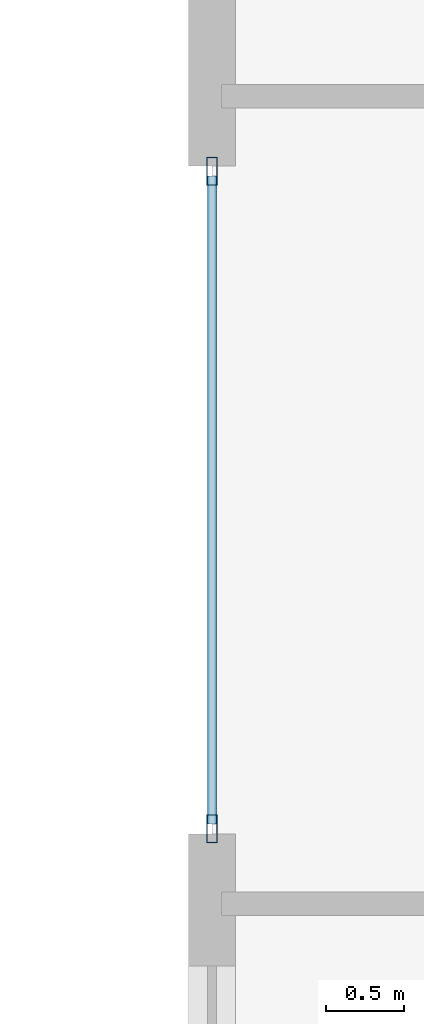
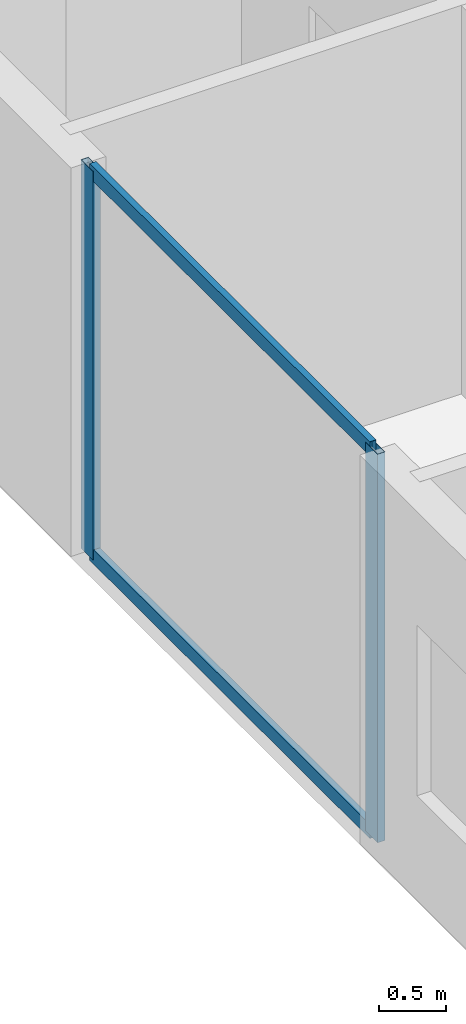
# One storey, part 4 of 32: 4 members, 1 element without a shape of its own.
"""IFC4 building model written with IfcOpenShell, lengths in metres."""

from ifc_helpers import new_model, si_unit, direction, frame, origin, origin_2d, place, context, subcontext, project, spatial, hollow_rectangle, extrude, material, layer, layer_set, material_profile, profile_set, type_object, element, aggregate, save


model = new_model("IFC4")

# Units and contexts
model_context = context("Model", 3, precision=1e-05, world=origin(), true_north=direction((0.0, 1.0)))
body_context = subcontext(model_context, "Body", "Model", "MODEL_VIEW")
ifc_project = project(units=[si_unit("LENGTHUNIT", "METRE"), si_unit("AREAUNIT", "SQUARE_METRE"), si_unit("VOLUMEUNIT", "CUBIC_METRE"), si_unit("PLANEANGLEUNIT", "RADIAN"), si_unit("MASSUNIT", "GRAM", prefix="KILO")], contexts=[model_context])

# Site, building, storey
site_placement = place(None, origin())
site = spatial("IfcSite", under=ifc_project, at=site_placement, CompositionType="ELEMENT")
building_placement = place(site_placement, origin())
building = spatial("IfcBuilding", under=site, at=building_placement, Name="Zuhayl Quay Hotel", CompositionType="ELEMENT")
storey_placement = place(building_placement, frame((0.0, 0.0, 192.39990234375)))
storey = spatial("IfcBuildingStorey", under=building, at=storey_placement, Name="L48", CompositionType="ELEMENT", Elevation=192.39990234375)

# Curtain wall, members
ifc_material_1 = material(Name="Anodised Aluminium 6063-T6", Category="aluminium")
ifc_layer = layer(ifc_material_1, 0.175048828125, Name="Anodised Aluminium 6063-T6", Category="aluminium")
ifc_layer_set = layer_set([ifc_layer], Name="Anodised Aluminium 6063-T6")
curtain_wall_type = type_object("IfcCurtainWallType", Name="CW_SYS_Z3", PredefinedType="USERDEFINED", material=ifc_layer_set)
curtain_wall_placement = place(storey_placement, origin())
curtain_wall = element("IfcCurtainWall", 1, at=curtain_wall_placement, inside=storey, type_object=curtain_wall_type, Name="L48 Curtain Wall ENV_L48_E02_CW1", ObjectType="UNITISED CURTAIN WALL", PredefinedType="USERDEFINED")
ifc_material_2 = material(Name="Black-anodised aluminium 6063-T6", Category="aluminium")
ifc_material_profile_1 = material_profile(ifc_material_2, hollow_rectangle(XDim=0.06494140625, YDim=0.179931640625, WallThickness=0.00341796875, at=origin_2d()), Name="ALU180X65")
ifc_profile_set_1 = profile_set([ifc_material_profile_1], Name="Black-anodised aluminium 6063-T6")
member_type_1 = type_object("IfcMemberType", Name="MB_CW_MUL_180", PredefinedType="MULLION", material=ifc_profile_set_1)
member_1_placement = place(storey_placement, frame((-22.10009765625, 2.032470703125, 0.0), z_axis=(0.0, 0.0, 1.0), x_axis=(-1.0, 0.0, 0.0)))
member_1 = element("IfcMember", 2, at=member_1_placement, type_object=member_type_1, Name="CW-Z3 mullion 1", PredefinedType="MULLION", context=body_context, shape_type="SweptSolid", body=[
    extrude(hollow_rectangle(XDim=0.06494140625, YDim=0.179931640625, WallThickness=0.00341796875, at=origin_2d()), origin(), (0.0, 0.0, 1.0), 3.530029296875),
])
member_2_placement = place(storey_placement, frame((-22.10009765625, 6.267578125, 0.0), z_axis=(0.0, 0.0, 1.0), x_axis=(-1.0, 0.0, 0.0)))
member_2 = element("IfcMember", 3, at=member_2_placement, type_object=member_type_1, Name="CW-Z3 mullion 2", PredefinedType="MULLION", context=body_context, shape_type="SweptSolid", body=[
    extrude(hollow_rectangle(XDim=0.06494140625, YDim=0.179931640625, WallThickness=0.00341796875, at=origin_2d()), origin(), (0.0, 0.0, 1.0), 3.530029296875),
])
ifc_material_profile_2 = material_profile(ifc_material_2, hollow_rectangle(XDim=0.054931640625, YDim=0.1298828125, WallThickness=0.0029296875, at=origin_2d()), Name="ALU130X55")
ifc_profile_set_2 = profile_set([ifc_material_profile_2], Name="Black-anodised aluminium 6063-T6")
member_type_2 = type_object("IfcMemberType", Name="MB_CW_TRN_130", PredefinedType="USERDEFINED", material=ifc_profile_set_2)
member_3_placement = place(storey_placement, frame((-22.10009765625, 2.06494140625, 0.027587890625), z_axis=(0.0, 1.0, 0.0), x_axis=(-1.0, 0.0, 0.0)))
member_3 = element("IfcMember", 4, at=member_3_placement, type_object=member_type_2, Name="CW-Z3 transom 1.1", ObjectType="TRANSOM", PredefinedType="USERDEFINED", context=body_context, shape_type="SweptSolid", body=[
    extrude(hollow_rectangle(XDim=0.054931640625, YDim=0.1298828125, WallThickness=0.0029296875, at=origin_2d()), origin(), (0.0, 0.0, 1.0), 4.170166015625),
])
member_4_placement = place(storey_placement, frame((-22.10009765625, 2.06494140625, 3.502685546875), z_axis=(0.0, 1.0, 0.0), x_axis=(-1.0, 0.0, 0.0)))
member_4 = element("IfcMember", 5, at=member_4_placement, type_object=member_type_2, Name="CW-Z3 transom 1.2", ObjectType="TRANSOM", PredefinedType="USERDEFINED", context=body_context, shape_type="SweptSolid", body=[
    extrude(hollow_rectangle(XDim=0.054931640625, YDim=0.1298828125, WallThickness=0.0029296875, at=origin_2d()), origin(), (0.0, 0.0, 1.0), 4.170166015625),
])
aggregate(curtain_wall, [member_1, member_2, member_3, member_4])

save(model, "model.ifc")
